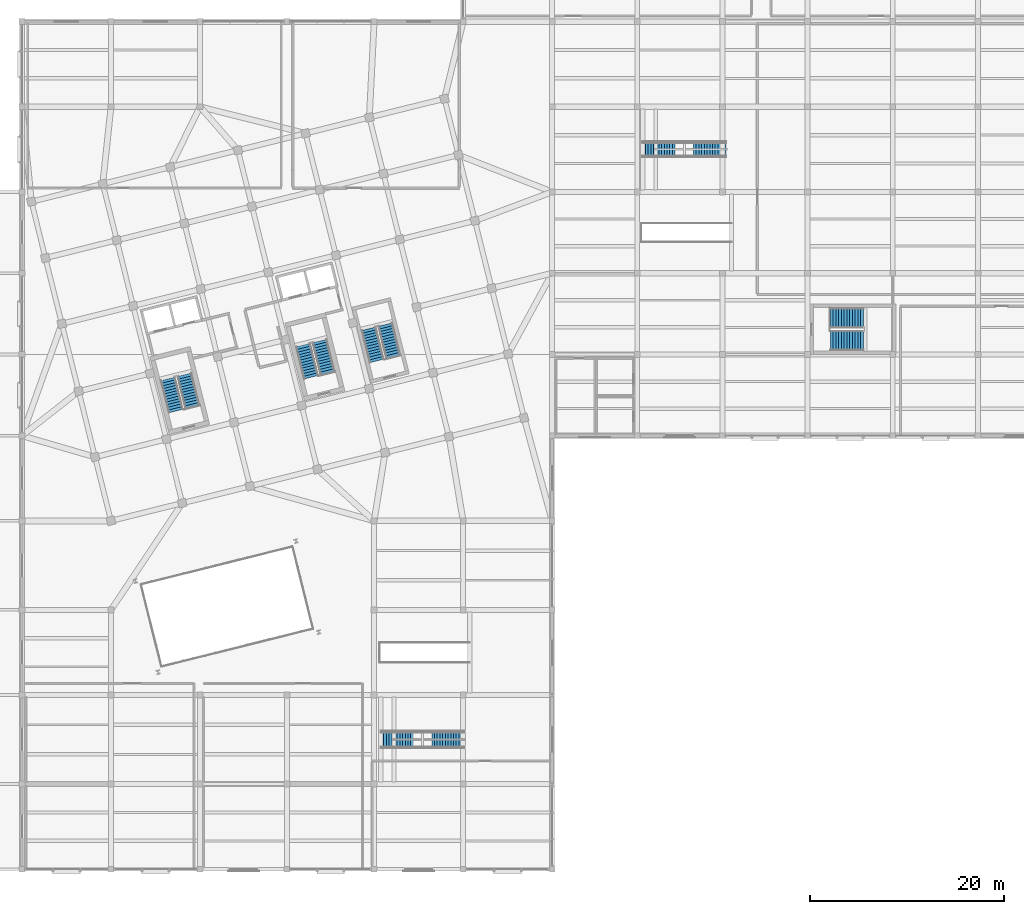
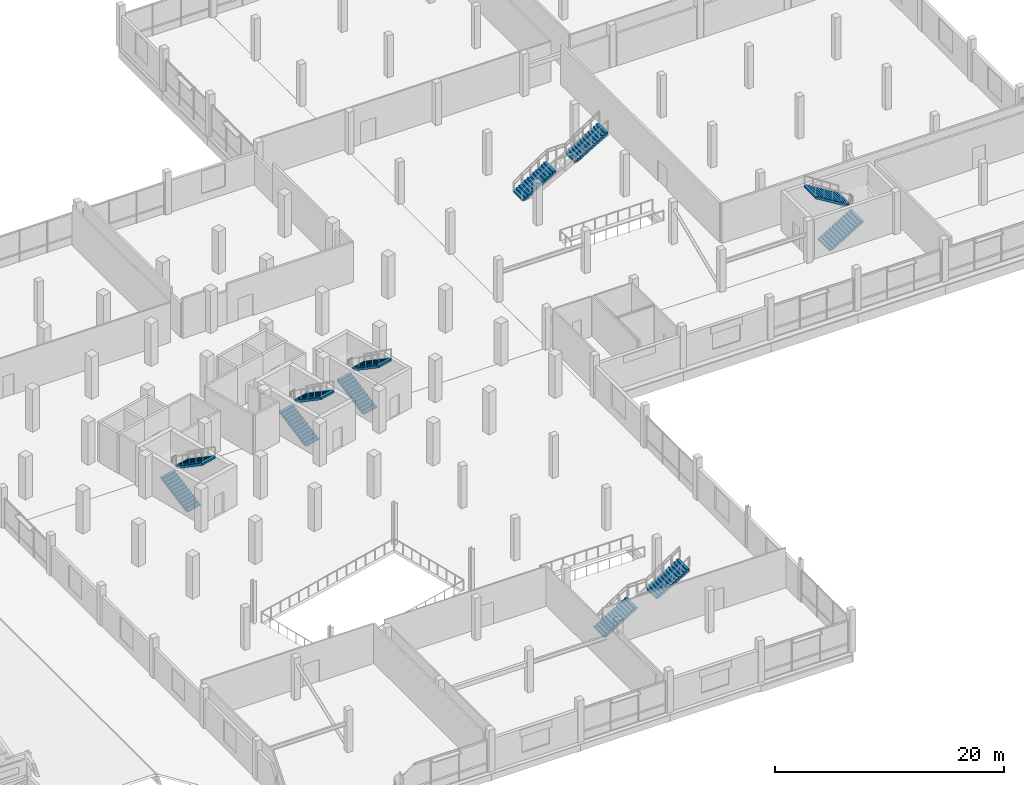
# One storey, part 70 of 77: 12 stair flights, 6 elements without a shape of their own.
"""IFC4 building model written with IfcOpenShell, lengths in metres."""

from ifc_helpers import new_model, si_unit, direction, frame, origin, place, context, subcontext, project, spatial, polyline, outline, extrude, material, type_object, element, aggregate, save


model = new_model("IFC4")

# Units and contexts
model_context = context("Model", 3, precision=1e-05, world=origin(), true_north=direction((0.0, 1.0)))
body_context = subcontext(model_context, "Body", "Model", "MODEL_VIEW")
ifc_project = project(units=[si_unit("LENGTHUNIT", "METRE"), si_unit("AREAUNIT", "SQUARE_METRE"), si_unit("VOLUMEUNIT", "CUBIC_METRE"), si_unit("PLANEANGLEUNIT", "RADIAN"), si_unit("MASSUNIT", "GRAM", prefix="KILO")], contexts=[model_context])

# Site, building, storey
site_placement = place(None, origin())
site = spatial("IfcSite", under=ifc_project, at=site_placement, CompositionType="ELEMENT")
building_placement = place(site_placement, origin())
building = spatial("IfcBuilding", under=site, at=building_placement, Name="Meriwether Solvik Hall", CompositionType="ELEMENT")
storey_placement = place(building_placement, frame((0.0, 0.0, 9.89990234375)))
storey = spatial("IfcBuildingStorey", under=building, at=storey_placement, Name="L02", CompositionType="ELEMENT", Elevation=9.89990234375)

# Stair, stair flights
ifc_material_1 = material(Name="Glulam Douglas-Fir 24F-V8 GL28h", Category="wood")
stair_type_1 = type_object("IfcStairType", Name="STR-OPEN-LIB", PredefinedType="TWO_STRAIGHT_RUN_STAIR", material=ifc_material_1)
stair_1_placement = place(storey_placement, origin())
stair_1 = element("IfcStair", 1, at=stair_1_placement, inside=storey, type_object=stair_type_1, Name="Architectural Stair ST-LB3 (L02-L03)", PredefinedType="TWO_STRAIGHT_RUN_STAIR")
ifc_material_2 = material(Name="Glulam Douglas-Fir 24F-V8 GL28h", Category="wood")
stair_flight_type_1 = type_object("IfcStairFlightType", Name="SFL-GL-165", PredefinedType="STRAIGHT", material=ifc_material_2)
stair_flight_1_placement = place(storey_placement, frame((123.550048828125, 79.60009765625, 0.0), z_axis=(0.0, 0.0, 1.0), x_axis=(1.0, 0.0, 0.0)))
stair_flight_1 = element("IfcStairFlight", 2, at=stair_flight_1_placement, type_object=stair_flight_type_1, Name="Stair ST-LB3 Lower Flight", NumberOfRisers=13, NumberOfTreads=12, PredefinedType="STRAIGHT", RiserHeight=0.173077, TreadLength=0.28, context=body_context, shape_type="SweptSolid", body=[
    extrude(outline(polyline([(0.0, 0.0), (0.0, 0.173095703125), (0.280029296875, 0.173095703125), (0.280029296875, 0.34619140625), (0.56005859375, 0.34619140625), (0.56005859375, 0.519287109375), (0.840087890625, 0.519287109375), (0.840087890625, 0.6923828125), (1.1201171875, 0.6923828125), (1.1201171875, 0.865478515625), (1.39990234375, 0.865478515625), (1.39990234375, 1.03857421875), (1.679931640625, 1.03857421875), (1.679931640625, 1.21142578125), (1.9599609375, 1.21142578125), (1.9599609375, 1.384521484375), (2.239990234375, 1.384521484375), (2.239990234375, 1.5576171875), (2.52001953125, 1.5576171875), (2.52001953125, 1.730712890625), (2.800048828125, 1.730712890625), (2.800048828125, 1.90380859375), (3.080078125, 1.90380859375), (3.080078125, 2.076904296875), (3.360107421875, 2.076904296875), (3.360107421875, 2.25), (3.360107421875, 1.865478515625), (0.34228515625, 0.0), (0.0, 0.0)])), frame((0.0, 0.824951171875, 0.0), z_axis=(0.0, -1.0, 0.0), x_axis=(1.0, 0.0, 0.0)), (0.0, 0.0, 1.0), 1.64990234375),
])
stair_flight_2_placement = place(storey_placement, frame((128.81005859375, 79.60009765625, 2.25), z_axis=(0.0, 0.0, 1.0), x_axis=(1.0, 0.0, 0.0)))
stair_flight_2 = element("IfcStairFlight", 3, at=stair_flight_2_placement, type_object=stair_flight_type_1, Name="Stair ST-LB3 Upper Flight", NumberOfRisers=13, NumberOfTreads=12, PredefinedType="STRAIGHT", RiserHeight=0.173077, TreadLength=0.28, context=body_context, shape_type="SweptSolid", body=[
    extrude(outline(polyline([(0.0, 0.0), (0.0, 0.173095703125), (0.280029296875, 0.173095703125), (0.280029296875, 0.34619140625), (0.56005859375, 0.34619140625), (0.56005859375, 0.519287109375), (0.840087890625, 0.519287109375), (0.840087890625, 0.6923828125), (1.1201171875, 0.6923828125), (1.1201171875, 0.865478515625), (1.39990234375, 0.865478515625), (1.39990234375, 1.03857421875), (1.679931640625, 1.03857421875), (1.679931640625, 1.21142578125), (1.9599609375, 1.21142578125), (1.9599609375, 1.384521484375), (2.239990234375, 1.384521484375), (2.239990234375, 1.5576171875), (2.52001953125, 1.5576171875), (2.52001953125, 1.730712890625), (2.800048828125, 1.730712890625), (2.800048828125, 1.90380859375), (3.080078125, 1.90380859375), (3.080078125, 2.076904296875), (3.360107421875, 2.076904296875), (3.360107421875, 2.25), (3.360107421875, 1.865478515625), (0.34228515625, 0.0), (0.0, 0.0)])), frame((0.0, 0.824951171875, 0.0), z_axis=(0.0, -1.0, 0.0), x_axis=(1.0, 0.0, 0.0)), (0.0, 0.0, 1.0), 1.64990234375),
])
aggregate(stair_1, [stair_flight_1, stair_flight_2])

ifc_material_3 = material(Name="Glulam Douglas-Fir 24F-V8 GL28h", Category="wood")
stair_type_2 = type_object("IfcStairType", Name="STR-OPEN-ATRIUM", PredefinedType="TWO_STRAIGHT_RUN_STAIR", material=ifc_material_3)
stair_2_placement = place(storey_placement, origin())
stair_2 = element("IfcStair", 4, at=stair_2_placement, inside=storey, type_object=stair_type_2, Name="Architectural Stair ST-AT3 (L02-L03)", PredefinedType="TWO_STRAIGHT_RUN_STAIR")
ifc_material_4 = material(Name="Glulam Douglas-Fir 24F-V8 GL28h", Category="wood")
stair_flight_type_2 = type_object("IfcStairFlightType", Name="SFL-GL-180", PredefinedType="STRAIGHT", material=ifc_material_4)
stair_flight_3_placement = place(storey_placement, frame((96.5, 18.60009765625, 0.0), z_axis=(0.0, 0.0, 1.0), x_axis=(1.0, 0.0, 0.0)))
stair_flight_3 = element("IfcStairFlight", 5, at=stair_flight_3_placement, type_object=stair_flight_type_2, Name="Stair ST-AT3 Lower Flight", NumberOfRisers=13, NumberOfTreads=12, PredefinedType="STRAIGHT", RiserHeight=0.173077, TreadLength=0.28, context=body_context, shape_type="SweptSolid", body=[
    extrude(outline(polyline([(0.0, 0.0), (0.0, 0.173095703125), (0.280029296875, 0.173095703125), (0.280029296875, 0.34619140625), (0.56005859375, 0.34619140625), (0.56005859375, 0.519287109375), (0.840087890625, 0.519287109375), (0.840087890625, 0.6923828125), (1.1201171875, 0.6923828125), (1.1201171875, 0.865478515625), (1.39990234375, 0.865478515625), (1.39990234375, 1.03857421875), (1.679931640625, 1.03857421875), (1.679931640625, 1.21142578125), (1.9599609375, 1.21142578125), (1.9599609375, 1.384521484375), (2.239990234375, 1.384521484375), (2.239990234375, 1.5576171875), (2.52001953125, 1.5576171875), (2.52001953125, 1.730712890625), (2.800048828125, 1.730712890625), (2.800048828125, 1.90380859375), (3.080078125, 1.90380859375), (3.080078125, 2.076904296875), (3.360107421875, 2.076904296875), (3.360107421875, 2.25), (3.360107421875, 1.865478515625), (0.34228515625, 0.0), (0.0, 0.0)])), frame((0.0, 0.89990234375, 0.0), z_axis=(0.0, -1.0, 0.0), x_axis=(1.0, 0.0, 0.0)), (0.0, 0.0, 1.0), 1.800048828125),
])
stair_flight_4_placement = place(storey_placement, frame((101.760009765625, 18.60009765625, 2.25), z_axis=(0.0, 0.0, 1.0), x_axis=(1.0, 0.0, 0.0)))
stair_flight_4 = element("IfcStairFlight", 6, at=stair_flight_4_placement, type_object=stair_flight_type_2, Name="Stair ST-AT3 Upper Flight", NumberOfRisers=13, NumberOfTreads=12, PredefinedType="STRAIGHT", RiserHeight=0.173077, TreadLength=0.28, context=body_context, shape_type="SweptSolid", body=[
    extrude(outline(polyline([(0.0, 0.0), (0.0, 0.173095703125), (0.280029296875, 0.173095703125), (0.280029296875, 0.34619140625), (0.56005859375, 0.34619140625), (0.56005859375, 0.519287109375), (0.840087890625, 0.519287109375), (0.840087890625, 0.6923828125), (1.1201171875, 0.6923828125), (1.1201171875, 0.865478515625), (1.39990234375, 0.865478515625), (1.39990234375, 1.03857421875), (1.679931640625, 1.03857421875), (1.679931640625, 1.21142578125), (1.9599609375, 1.21142578125), (1.9599609375, 1.384521484375), (2.239990234375, 1.384521484375), (2.239990234375, 1.5576171875), (2.52001953125, 1.5576171875), (2.52001953125, 1.730712890625), (2.800048828125, 1.730712890625), (2.800048828125, 1.90380859375), (3.080078125, 1.90380859375), (3.080078125, 2.076904296875), (3.360107421875, 2.076904296875), (3.360107421875, 2.25), (3.360107421875, 1.865478515625), (0.34228515625, 0.0), (0.0, 0.0)])), frame((0.0, 0.89990234375, 0.0), z_axis=(0.0, -1.0, 0.0), x_axis=(1.0, 0.0, 0.0)), (0.0, 0.0, 1.0), 1.800048828125),
])
aggregate(stair_2, [stair_flight_3, stair_flight_4])

ifc_material_5 = material(Name="Concrete C40/50", Category="concrete")
stair_type_3 = type_object("IfcStairType", Name="STR-CORE-DOGLEG-B", PredefinedType="TWO_STRAIGHT_RUN_STAIR", material=ifc_material_5)
stair_3_placement = place(storey_placement, origin())
stair_3 = element("IfcStair", 7, at=stair_3_placement, inside=storey, type_object=stair_type_3, Name="Exit Stair ST-01 (L02)", PredefinedType="TWO_STRAIGHT_RUN_STAIR")
ifc_material_6 = material(Name="Concrete C40/50", Category="concrete")
stair_flight_type_3 = type_object("IfcStairFlightType", Name="SFL-RC-156", PredefinedType="STRAIGHT", material=ifc_material_6)
stair_flight_5_placement = place(storey_placement, frame((75.310791015625, 52.56103515625, 0.0), z_axis=(0.0, 0.0, 1.0), x_axis=(-0.2419218956, 0.970295726276, 0.0)))
stair_flight_5 = element("IfcStairFlight", 8, at=stair_flight_5_placement, type_object=stair_flight_type_3, Name="Stair ST-01 Lower Flight (L02)", NumberOfRisers=13, NumberOfTreads=12, PredefinedType="STRAIGHT", RiserHeight=0.173077, TreadLength=0.285, context=body_context, shape_type="SweptSolid", body=[
    extrude(outline(polyline([(0.0, 0.0), (0.0, 0.173095703125), (0.284912109375, 0.173095703125), (0.284912109375, 0.34619140625), (0.570068359375, 0.34619140625), (0.570068359375, 0.519287109375), (0.85498046875, 0.519287109375), (0.85498046875, 0.6923828125), (1.139892578125, 0.6923828125), (1.139892578125, 0.865478515625), (1.425048828125, 0.865478515625), (1.425048828125, 1.03857421875), (1.7099609375, 1.03857421875), (1.7099609375, 1.21142578125), (1.9951171875, 1.21142578125), (1.9951171875, 1.384521484375), (2.280029296875, 1.384521484375), (2.280029296875, 1.5576171875), (2.56494140625, 1.5576171875), (2.56494140625, 1.730712890625), (2.85009765625, 1.730712890625), (2.85009765625, 1.90380859375), (3.135009765625, 1.90380859375), (3.135009765625, 2.076904296875), (3.419921875, 2.076904296875), (3.419921875, 2.25), (3.419921875, 1.866455078125), (0.3466796875, 0.0), (0.0, 0.0)])), frame((0.0, 0.780029296875, 0.0), z_axis=(0.0, -1.0, 0.0), x_axis=(1.0, 0.0, 0.0)), (0.0, 0.0, 1.0), 1.56005859375),
])
stair_flight_6_placement = place(storey_placement, frame((76.210693359375, 56.31005859375, 2.25), z_axis=(0.0, 0.0, 1.0), x_axis=(0.2419218956, -0.970295726276, 0.0)))
stair_flight_6 = element("IfcStairFlight", 9, at=stair_flight_6_placement, type_object=stair_flight_type_3, Name="Stair ST-01 Upper Flight (L02)", NumberOfRisers=13, NumberOfTreads=12, PredefinedType="STRAIGHT", RiserHeight=0.173077, TreadLength=0.285, context=body_context, shape_type="SweptSolid", body=[
    extrude(outline(polyline([(0.0, 0.0), (0.0, 0.173095703125), (0.284912109375, 0.173095703125), (0.284912109375, 0.34619140625), (0.570068359375, 0.34619140625), (0.570068359375, 0.519287109375), (0.85498046875, 0.519287109375), (0.85498046875, 0.6923828125), (1.139892578125, 0.6923828125), (1.139892578125, 0.865478515625), (1.425048828125, 0.865478515625), (1.425048828125, 1.03857421875), (1.7099609375, 1.03857421875), (1.7099609375, 1.21142578125), (1.9951171875, 1.21142578125), (1.9951171875, 1.384521484375), (2.280029296875, 1.384521484375), (2.280029296875, 1.5576171875), (2.56494140625, 1.5576171875), (2.56494140625, 1.730712890625), (2.85009765625, 1.730712890625), (2.85009765625, 1.90380859375), (3.135009765625, 1.90380859375), (3.135009765625, 2.076904296875), (3.419921875, 2.076904296875), (3.419921875, 2.25), (3.419921875, 1.866455078125), (0.3466796875, 0.0), (0.0, 0.0)])), frame((0.0, 0.780029296875, 0.0), z_axis=(0.0, -1.0, 0.0), x_axis=(1.0, 0.0, 0.0)), (0.0, 0.0, 1.0), 1.56005859375),
])
aggregate(stair_3, [stair_flight_5, stair_flight_6])

stair_4_placement = place(storey_placement, origin())
stair_4 = element("IfcStair", 10, at=stair_4_placement, inside=storey, type_object=stair_type_3, Name="Exit Stair ST-02 (L02)", PredefinedType="TWO_STRAIGHT_RUN_STAIR")
stair_flight_7_placement = place(storey_placement, frame((89.283203125, 56.044677734375, 0.0), z_axis=(0.0, 0.0, 1.0), x_axis=(-0.2419218956, 0.970295726276, 0.0)))
stair_flight_7 = element("IfcStairFlight", 11, at=stair_flight_7_placement, type_object=stair_flight_type_3, Name="Stair ST-02 Lower Flight (L02)", NumberOfRisers=13, NumberOfTreads=12, PredefinedType="STRAIGHT", RiserHeight=0.173077, TreadLength=0.285, context=body_context, shape_type="SweptSolid", body=[
    extrude(outline(polyline([(0.0, 0.0), (0.0, 0.173095703125), (0.284912109375, 0.173095703125), (0.284912109375, 0.34619140625), (0.570068359375, 0.34619140625), (0.570068359375, 0.519287109375), (0.85498046875, 0.519287109375), (0.85498046875, 0.6923828125), (1.139892578125, 0.6923828125), (1.139892578125, 0.865478515625), (1.425048828125, 0.865478515625), (1.425048828125, 1.03857421875), (1.7099609375, 1.03857421875), (1.7099609375, 1.21142578125), (1.9951171875, 1.21142578125), (1.9951171875, 1.384521484375), (2.280029296875, 1.384521484375), (2.280029296875, 1.5576171875), (2.56494140625, 1.5576171875), (2.56494140625, 1.730712890625), (2.85009765625, 1.730712890625), (2.85009765625, 1.90380859375), (3.135009765625, 1.90380859375), (3.135009765625, 2.076904296875), (3.419921875, 2.076904296875), (3.419921875, 2.25), (3.419921875, 1.866455078125), (0.3466796875, 0.0), (0.0, 0.0)])), frame((0.0, 0.780029296875, 0.0), z_axis=(0.0, -1.0, 0.0), x_axis=(1.0, 0.0, 0.0)), (0.0, 0.0, 1.0), 1.56005859375),
])
stair_flight_8_placement = place(storey_placement, frame((90.182861328125, 59.793701171875, 2.25), z_axis=(0.0, 0.0, 1.0), x_axis=(0.2419218956, -0.970295726276, 0.0)))
stair_flight_8 = element("IfcStairFlight", 12, at=stair_flight_8_placement, type_object=stair_flight_type_3, Name="Stair ST-02 Upper Flight (L02)", NumberOfRisers=13, NumberOfTreads=12, PredefinedType="STRAIGHT", RiserHeight=0.173077, TreadLength=0.285, context=body_context, shape_type="SweptSolid", body=[
    extrude(outline(polyline([(0.0, 0.0), (0.0, 0.173095703125), (0.284912109375, 0.173095703125), (0.284912109375, 0.34619140625), (0.570068359375, 0.34619140625), (0.570068359375, 0.519287109375), (0.85498046875, 0.519287109375), (0.85498046875, 0.6923828125), (1.139892578125, 0.6923828125), (1.139892578125, 0.865478515625), (1.425048828125, 0.865478515625), (1.425048828125, 1.03857421875), (1.7099609375, 1.03857421875), (1.7099609375, 1.21142578125), (1.9951171875, 1.21142578125), (1.9951171875, 1.384521484375), (2.280029296875, 1.384521484375), (2.280029296875, 1.5576171875), (2.56494140625, 1.5576171875), (2.56494140625, 1.730712890625), (2.85009765625, 1.730712890625), (2.85009765625, 1.90380859375), (3.135009765625, 1.90380859375), (3.135009765625, 2.076904296875), (3.419921875, 2.076904296875), (3.419921875, 2.25), (3.419921875, 1.866455078125), (0.3466796875, 0.0), (0.0, 0.0)])), frame((0.0, 0.780029296875, 0.0), z_axis=(0.0, -1.0, 0.0), x_axis=(1.0, 0.0, 0.0)), (0.0, 0.0, 1.0), 1.56005859375),
])
aggregate(stair_4, [stair_flight_7, stair_flight_8])

stair_5_placement = place(storey_placement, origin())
stair_5 = element("IfcStair", 13, at=stair_5_placement, inside=storey, type_object=stair_type_3, Name="Exit Stair ST-03 (L02)", PredefinedType="TWO_STRAIGHT_RUN_STAIR")
stair_flight_9_placement = place(storey_placement, frame((96.0751953125, 57.738037109375, 0.0), z_axis=(0.0, 0.0, 1.0), x_axis=(-0.2419218956, 0.970295726276, 0.0)))
stair_flight_9 = element("IfcStairFlight", 14, at=stair_flight_9_placement, type_object=stair_flight_type_3, Name="Stair ST-03 Lower Flight (L02)", NumberOfRisers=13, NumberOfTreads=12, PredefinedType="STRAIGHT", RiserHeight=0.173077, TreadLength=0.285, context=body_context, shape_type="SweptSolid", body=[
    extrude(outline(polyline([(0.0, 0.0), (0.0, 0.173095703125), (0.284912109375, 0.173095703125), (0.284912109375, 0.34619140625), (0.570068359375, 0.34619140625), (0.570068359375, 0.519287109375), (0.85498046875, 0.519287109375), (0.85498046875, 0.6923828125), (1.139892578125, 0.6923828125), (1.139892578125, 0.865478515625), (1.425048828125, 0.865478515625), (1.425048828125, 1.03857421875), (1.7099609375, 1.03857421875), (1.7099609375, 1.21142578125), (1.9951171875, 1.21142578125), (1.9951171875, 1.384521484375), (2.280029296875, 1.384521484375), (2.280029296875, 1.5576171875), (2.56494140625, 1.5576171875), (2.56494140625, 1.730712890625), (2.85009765625, 1.730712890625), (2.85009765625, 1.90380859375), (3.135009765625, 1.90380859375), (3.135009765625, 2.076904296875), (3.419921875, 2.076904296875), (3.419921875, 2.25), (3.419921875, 1.866455078125), (0.3466796875, 0.0), (0.0, 0.0)])), frame((0.0, 0.780029296875, 0.0), z_axis=(0.0, -1.0, 0.0), x_axis=(1.0, 0.0, 0.0)), (0.0, 0.0, 1.0), 1.56005859375),
])
stair_flight_10_placement = place(storey_placement, frame((96.974853515625, 61.487060546875, 2.25), z_axis=(0.0, 0.0, 1.0), x_axis=(0.2419218956, -0.970295726276, 0.0)))
stair_flight_10 = element("IfcStairFlight", 15, at=stair_flight_10_placement, type_object=stair_flight_type_3, Name="Stair ST-03 Upper Flight (L02)", NumberOfRisers=13, NumberOfTreads=12, PredefinedType="STRAIGHT", RiserHeight=0.173077, TreadLength=0.285, context=body_context, shape_type="SweptSolid", body=[
    extrude(outline(polyline([(0.0, 0.0), (0.0, 0.173095703125), (0.284912109375, 0.173095703125), (0.284912109375, 0.34619140625), (0.570068359375, 0.34619140625), (0.570068359375, 0.519287109375), (0.85498046875, 0.519287109375), (0.85498046875, 0.6923828125), (1.139892578125, 0.6923828125), (1.139892578125, 0.865478515625), (1.425048828125, 0.865478515625), (1.425048828125, 1.03857421875), (1.7099609375, 1.03857421875), (1.7099609375, 1.21142578125), (1.9951171875, 1.21142578125), (1.9951171875, 1.384521484375), (2.280029296875, 1.384521484375), (2.280029296875, 1.5576171875), (2.56494140625, 1.5576171875), (2.56494140625, 1.730712890625), (2.85009765625, 1.730712890625), (2.85009765625, 1.90380859375), (3.135009765625, 1.90380859375), (3.135009765625, 2.076904296875), (3.419921875, 2.076904296875), (3.419921875, 2.25), (3.419921875, 1.866455078125), (0.3466796875, 0.0), (0.0, 0.0)])), frame((0.0, 0.780029296875, 0.0), z_axis=(0.0, -1.0, 0.0), x_axis=(1.0, 0.0, 0.0)), (0.0, 0.0, 1.0), 1.56005859375),
])
aggregate(stair_5, [stair_flight_9, stair_flight_10])

ifc_material_7 = material(Name="Concrete C40/50", Category="concrete")
stair_type_4 = type_object("IfcStairType", Name="STR-CORE-WIDE", PredefinedType="TWO_STRAIGHT_RUN_STAIR", material=ifc_material_7)
stair_6_placement = place(storey_placement, origin())
stair_6 = element("IfcStair", 16, at=stair_6_placement, inside=storey, type_object=stair_type_4, Name="Exit Stair ST-05 (L02)", PredefinedType="TWO_STRAIGHT_RUN_STAIR")
ifc_material_8 = material(Name="Concrete C40/50", Category="concrete")
stair_flight_type_4 = type_object("IfcStairFlightType", Name="SFL-RC-205", PredefinedType="STRAIGHT", material=ifc_material_8)
stair_flight_11_placement = place(storey_placement, frame((142.949951171875, 59.804931640625, 0.0), z_axis=(0.0, 0.0, 1.0), x_axis=(1.0, 0.0, 0.0)))
stair_flight_11 = element("IfcStairFlight", 17, at=stair_flight_11_placement, type_object=stair_flight_type_4, Name="Stair ST-05 Lower Flight (L02)", NumberOfRisers=13, NumberOfTreads=12, PredefinedType="STRAIGHT", RiserHeight=0.173077, TreadLength=0.285, context=body_context, shape_type="SweptSolid", body=[
    extrude(outline(polyline([(0.0, 0.0), (0.0, 0.173095703125), (0.284912109375, 0.173095703125), (0.284912109375, 0.34619140625), (0.570068359375, 0.34619140625), (0.570068359375, 0.519287109375), (0.85498046875, 0.519287109375), (0.85498046875, 0.6923828125), (1.139892578125, 0.6923828125), (1.139892578125, 0.865478515625), (1.425048828125, 0.865478515625), (1.425048828125, 1.03857421875), (1.7099609375, 1.03857421875), (1.7099609375, 1.21142578125), (1.9951171875, 1.21142578125), (1.9951171875, 1.384521484375), (2.280029296875, 1.384521484375), (2.280029296875, 1.5576171875), (2.56494140625, 1.5576171875), (2.56494140625, 1.730712890625), (2.85009765625, 1.730712890625), (2.85009765625, 1.90380859375), (3.135009765625, 1.90380859375), (3.135009765625, 2.076904296875), (3.419921875, 2.076904296875), (3.419921875, 2.25), (3.419921875, 1.866455078125), (0.3466796875, 0.0), (0.0, 0.0)])), frame((0.0, 1.02490234375, 0.0), z_axis=(0.0, -1.0, 0.0), x_axis=(1.0, 0.0, 0.0)), (0.0, 0.0, 1.0), 2.050048828125),
])
stair_flight_12_placement = place(storey_placement, frame((146.3701171875, 62.195068359375, 2.25), z_axis=(0.0, 0.0, 1.0), x_axis=(-1.0, 0.0, 0.0)))
stair_flight_12 = element("IfcStairFlight", 18, at=stair_flight_12_placement, type_object=stair_flight_type_4, Name="Stair ST-05 Upper Flight (L02)", NumberOfRisers=13, NumberOfTreads=12, PredefinedType="STRAIGHT", RiserHeight=0.173077, TreadLength=0.285, context=body_context, shape_type="SweptSolid", body=[
    extrude(outline(polyline([(0.0, 0.0), (0.0, 0.173095703125), (0.284912109375, 0.173095703125), (0.284912109375, 0.34619140625), (0.570068359375, 0.34619140625), (0.570068359375, 0.519287109375), (0.85498046875, 0.519287109375), (0.85498046875, 0.6923828125), (1.139892578125, 0.6923828125), (1.139892578125, 0.865478515625), (1.425048828125, 0.865478515625), (1.425048828125, 1.03857421875), (1.7099609375, 1.03857421875), (1.7099609375, 1.21142578125), (1.9951171875, 1.21142578125), (1.9951171875, 1.384521484375), (2.280029296875, 1.384521484375), (2.280029296875, 1.5576171875), (2.56494140625, 1.5576171875), (2.56494140625, 1.730712890625), (2.85009765625, 1.730712890625), (2.85009765625, 1.90380859375), (3.135009765625, 1.90380859375), (3.135009765625, 2.076904296875), (3.419921875, 2.076904296875), (3.419921875, 2.25), (3.419921875, 1.866455078125), (0.3466796875, 0.0), (0.0, 0.0)])), frame((0.0, 1.02490234375, 0.0), z_axis=(0.0, -1.0, 0.0), x_axis=(1.0, 0.0, 0.0)), (0.0, 0.0, 1.0), 2.050048828125),
])
aggregate(stair_6, [stair_flight_11, stair_flight_12])

save(model, "model.ifc")
